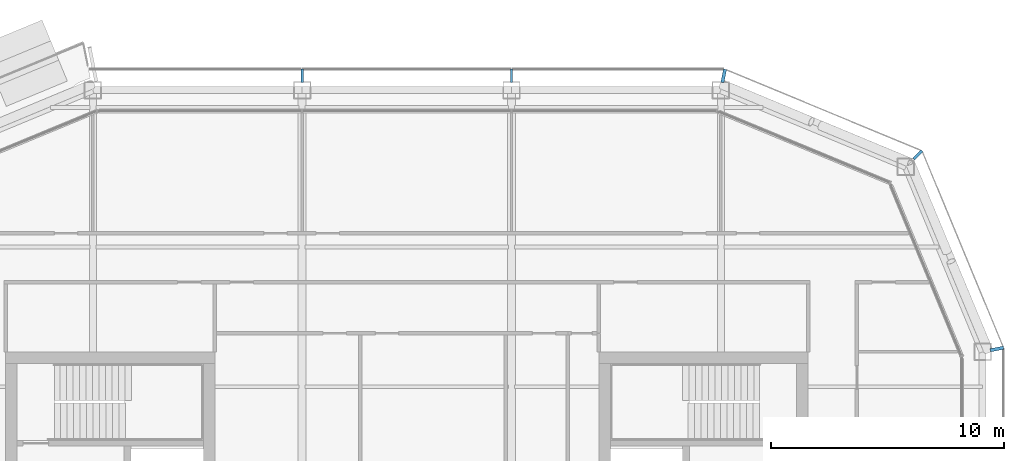
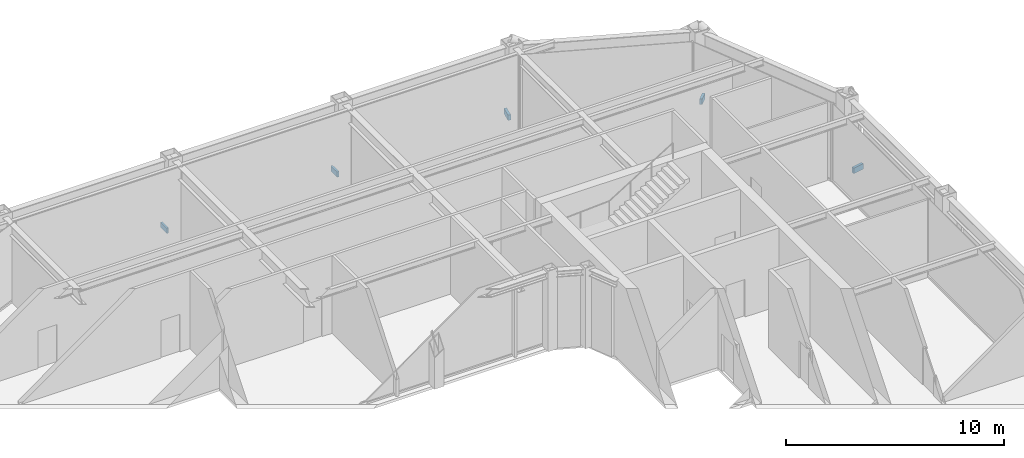
# One storey, part 16 of 21: 5 discrete accessories.
"""IFC4 building model written with IfcOpenShell, lengths in metres."""

from ifc_helpers import new_model, si_unit, direction, frame, origin, origin_2d, place, context, subcontext, project, spatial, rectangle, extrude, material, type_object, element, save


model = new_model("IFC4")

# Units and contexts
model_context = context("Model", 3, precision=1e-05, world=origin(), true_north=direction((0.0, 1.0)))
body_context = subcontext(model_context, "Body", "Model", "MODEL_VIEW")
ifc_project = project(units=[si_unit("LENGTHUNIT", "METRE"), si_unit("AREAUNIT", "SQUARE_METRE"), si_unit("VOLUMEUNIT", "CUBIC_METRE"), si_unit("PLANEANGLEUNIT", "RADIAN"), si_unit("MASSUNIT", "GRAM", prefix="KILO")], contexts=[model_context])

# Site, building, storey
site_placement = place(None, origin())
site = spatial("IfcSite", under=ifc_project, at=site_placement, CompositionType="ELEMENT")
building_placement = place(site_placement, origin())
building = spatial("IfcBuilding", under=site, at=building_placement, Name="Siwar Civic Tower", CompositionType="ELEMENT")
storey_placement = place(building_placement, frame((0.0, 0.0, 294.199951171875)))
storey = spatial("IfcBuildingStorey", under=building, at=storey_placement, Name="L63", CompositionType="ELEMENT", Elevation=294.199951171875)

# Discrete accessories
ifc_material = material(Name="Stainless steel 316", Category="steel")
discrete_accessory_type = type_object("IfcDiscreteAccessoryType", Name="ENV-BRACKET", PredefinedType="BRACKET", material=ifc_material)
for number, where, z_axis, x_axis, name in (
    (1, (4.5, 25.364990234375, -0.14990234375), (0.0, 0.0, 1.0), (0.0, 1.0, 0.0), "Bracket outer skin joint N-01"),
    (2, (-4.5, 25.364990234375, -0.14990234375), (0.0, 0.0, 1.0), (0.0, 1.0, 0.0), "Bracket outer skin joint N-02"),
):
    element("IfcDiscreteAccessory", number, at=place(storey_placement, frame(where, z_axis=z_axis, x_axis=x_axis)), inside=storey, type_object=discrete_accessory_type, Name=name, PredefinedType="BRACKET", context=body_context, shape_type="SweptSolid", body=[
        extrude(rectangle(XDim=0.570068359375, YDim=0.10009765625, at=origin_2d()), origin(), (0.0, 0.0, 1.0), 0.300048828125),
    ])
discrete_accessory_1_placement = place(storey_placement, frame((25.365234375, 13.622314453125, -0.14990234375), z_axis=(0.0, 0.0, 1.0), x_axis=(0.980785280403, 0.195090322016, 0.0)))
element("IfcDiscreteAccessory", 3, at=discrete_accessory_1_placement, inside=storey, type_object=discrete_accessory_type, Name="Bracket outer skin joint V04", PredefinedType="BRACKET", context=body_context, shape_type="SweptSolid", body=[
    extrude(rectangle(XDim=0.580810546875, YDim=0.13720703125, at=origin_2d()), origin(), (0.0, 0.0, 1.0), 0.300048828125),
])
discrete_accessory_2_placement = place(storey_placement, frame((21.96728515625, 21.96728515625, -0.14990234375), z_axis=(0.0, 0.0, 1.0), x_axis=(0.707106781187, 0.707106781187, 0.0)))
element("IfcDiscreteAccessory", 4, at=discrete_accessory_2_placement, inside=storey, type_object=discrete_accessory_type, Name="Bracket outer skin joint V05", PredefinedType="BRACKET", context=body_context, shape_type="SweptSolid", body=[
    extrude(rectangle(XDim=0.499267578125, YDim=0.12939453125, at=origin_2d()), origin(), (0.0, 0.0, 1.0), 0.300048828125),
])
discrete_accessory_3_placement = place(storey_placement, frame((13.622314453125, 25.365234375, -0.14990234375), z_axis=(0.0, 0.0, 1.0), x_axis=(0.195090322016, 0.980785280403, 0.0)))
element("IfcDiscreteAccessory", 5, at=discrete_accessory_3_placement, inside=storey, type_object=discrete_accessory_type, Name="Bracket outer skin joint V06", PredefinedType="BRACKET", context=body_context, shape_type="SweptSolid", body=[
    extrude(rectangle(XDim=0.580810546875, YDim=0.13720703125, at=origin_2d()), origin(), (0.0, 0.0, 1.0), 0.300048828125),
])

save(model, "model.ifc")
